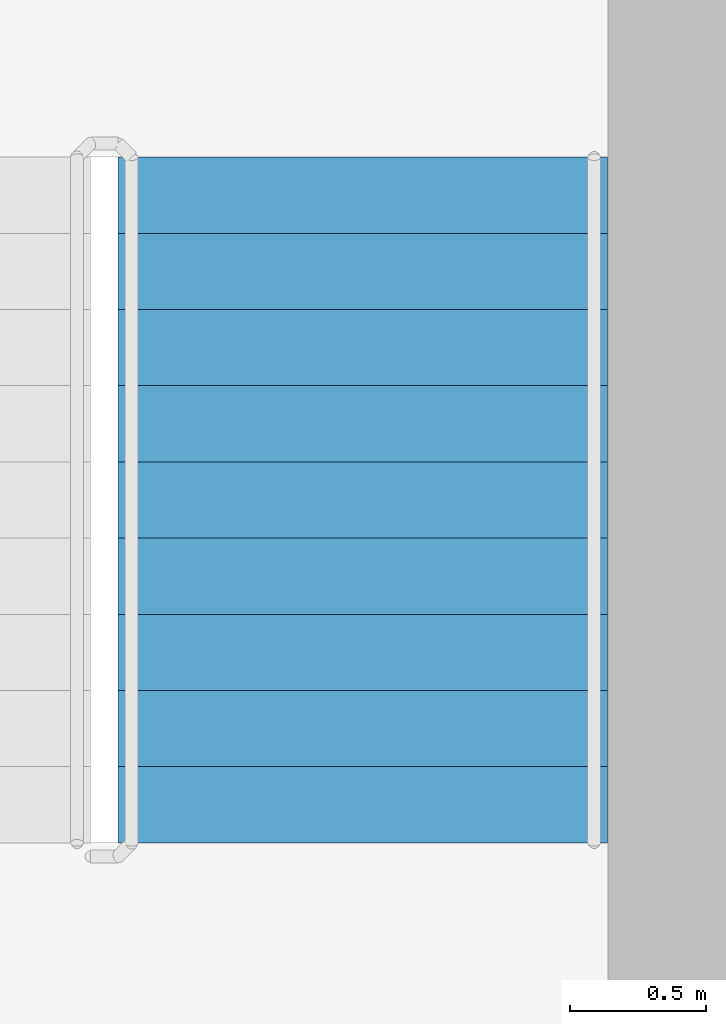
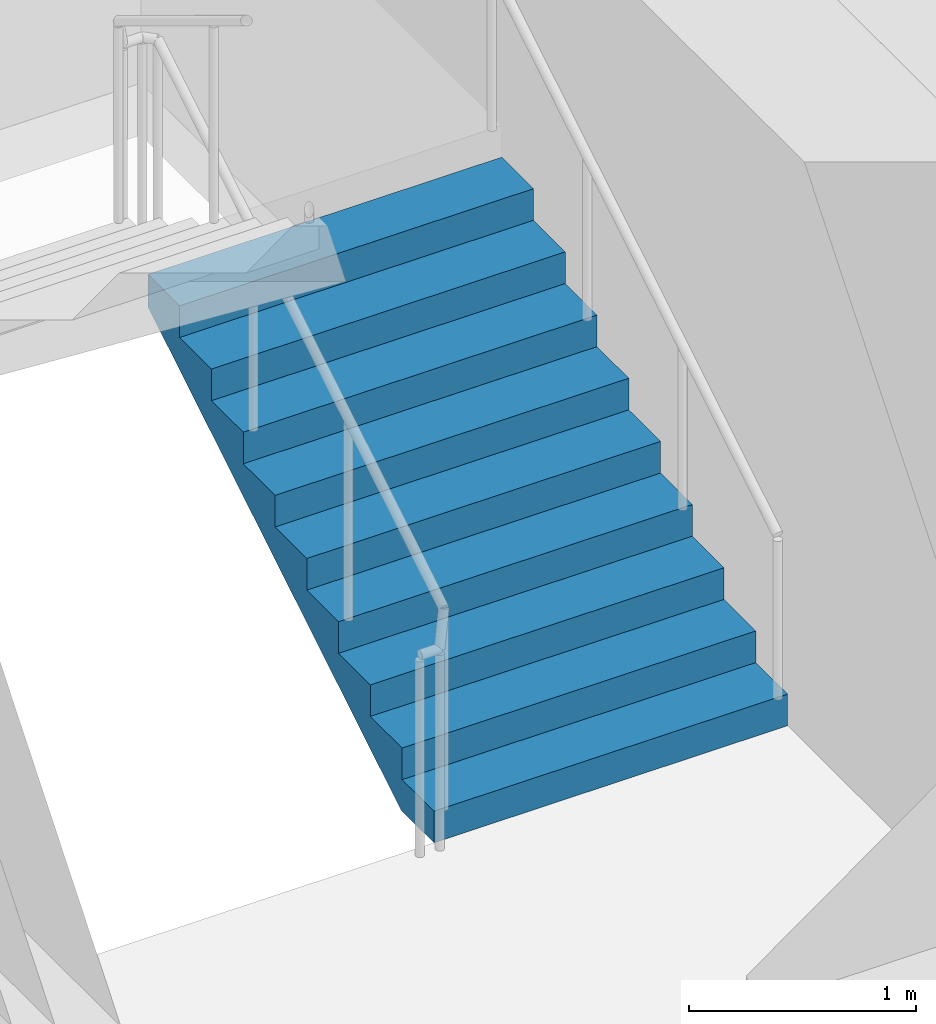
# One storey, part 13 of 22: 1 stair flight, 1 element without a shape of its own.
"""IFC4 building model written with IfcOpenShell, lengths in metres."""

from ifc_helpers import new_model, si_unit, direction, frame, origin, place, context, subcontext, project, spatial, triangles, source, transform, mapped, material, type_object, element, aggregate, save


model = new_model("IFC4")

# Units and contexts
model_context = context("Model", 3, precision=1e-05, world=origin(), true_north=direction((0.0, 1.0)))
body_context = subcontext(model_context, "Body", "Model", "MODEL_VIEW")
ifc_project = project(units=[si_unit("LENGTHUNIT", "METRE"), si_unit("AREAUNIT", "SQUARE_METRE"), si_unit("VOLUMEUNIT", "CUBIC_METRE"), si_unit("PLANEANGLEUNIT", "RADIAN"), si_unit("MASSUNIT", "GRAM", prefix="KILO")], contexts=[model_context])

# Site, building, storey
site_placement = place(None, origin())
site = spatial("IfcSite", under=ifc_project, at=site_placement, CompositionType="ELEMENT")
building_placement = place(site_placement, origin())
building = spatial("IfcBuilding", under=site, at=building_placement, Name="Kilnfold Tower and Market Hall", CompositionType="ELEMENT")
storey_placement = place(building_placement, frame((0.0, 0.0, 206.699951171875)))
storey = spatial("IfcBuildingStorey", under=building, at=storey_placement, Name="L50", CompositionType="ELEMENT", Elevation=206.699951171875)

# Stair, stair flight
ifc_material_1 = material(Name="Concrete C40/50", Category="concrete")
stair_type = type_object("IfcStairType", Name="CORE STAIR 1800", PredefinedType="HALF_TURN_STAIR", material=ifc_material_1)
stair_placement = place(storey_placement, origin())
stair = element("IfcStair", 1, at=stair_placement, inside=storey, type_object=stair_type, Name="L50 ST2", PredefinedType="HALF_TURN_STAIR")
ifc_material_2 = material(Name="Concrete C40/50", Category="concrete")
stair_flight_type = type_object("IfcStairFlightType", Name="CORE STAIR FLIGHT 1800", PredefinedType="STRAIGHT", material=ifc_material_2)
shared_shape = source(origin(), body_context, "Body", "Tessellation", [
    triangles([(0.0, 0.89990234375, 0.0), (0.0, 0.78759765625, 0.0), (0.0, 0.675048828125, 0.0), (0.0, 0.5625, 0.0), (0.0, 0.449951171875, 0.0), (0.0, 0.33740234375, 0.0), (0.0, 0.22509765625, 0.0), (0.0, 0.112548828125, 0.0), (0.0, 0.0, 0.0), (0.0, -0.112548828125, 0.0), (0.0, -0.22509765625, 0.0), (0.0, -0.33740234375, 0.0), (0.0, -0.449951171875, 0.0), (0.0, -0.5625, 0.0), (0.0, -0.675048828125, 0.0), (0.0, -0.78759765625, 0.0), (0.0, -0.89990234375, 0.0), (0.0, 0.89990234375, 0.169921875), (0.0, 0.78759765625, 0.169921875), (0.0, 0.675048828125, 0.169921875), (0.0, 0.5625, 0.169921875), (0.0, 0.449951171875, 0.169921875), (0.0, 0.33740234375, 0.169921875), (0.0, 0.22509765625, 0.169921875), (0.0, 0.112548828125, 0.169921875), (0.0, 0.0, 0.169921875), (0.0, -0.112548828125, 0.169921875), (0.0, -0.22509765625, 0.169921875), (0.0, -0.33740234375, 0.169921875), (0.0, -0.449951171875, 0.169921875), (0.0, -0.5625, 0.169921875), (0.0, -0.675048828125, 0.169921875), (0.0, -0.78759765625, 0.169921875), (0.0, -0.89990234375, 0.169921875), (0.280029296875, 0.89990234375, 0.169921875), (0.280029296875, 0.78759765625, 0.169921875), (0.280029296875, 0.675048828125, 0.169921875), (0.280029296875, 0.5625, 0.169921875), (0.280029296875, 0.449951171875, 0.169921875), (0.280029296875, 0.33740234375, 0.169921875), (0.280029296875, 0.22509765625, 0.169921875), (0.280029296875, 0.112548828125, 0.169921875), (0.280029296875, 0.0, 0.169921875), (0.280029296875, -0.112548828125, 0.169921875), (0.280029296875, -0.22509765625, 0.169921875), (0.280029296875, -0.33740234375, 0.169921875), (0.280029296875, -0.449951171875, 0.169921875), (0.280029296875, -0.5625, 0.169921875), (0.280029296875, -0.675048828125, 0.169921875), (0.280029296875, -0.78759765625, 0.169921875), (0.280029296875, -0.89990234375, 0.169921875), (0.280029296875, 0.89990234375, 0.340087890625), (0.280029296875, 0.78759765625, 0.340087890625), (0.280029296875, 0.675048828125, 0.340087890625), (0.280029296875, 0.5625, 0.340087890625), (0.280029296875, 0.449951171875, 0.340087890625), (0.280029296875, 0.33740234375, 0.340087890625), (0.280029296875, 0.22509765625, 0.340087890625), (0.280029296875, 0.112548828125, 0.340087890625), (0.280029296875, 0.0, 0.340087890625), (0.280029296875, -0.112548828125, 0.340087890625), (0.280029296875, -0.22509765625, 0.340087890625), (0.280029296875, -0.33740234375, 0.340087890625), (0.280029296875, -0.449951171875, 0.340087890625), (0.280029296875, -0.5625, 0.340087890625), (0.280029296875, -0.675048828125, 0.340087890625), (0.280029296875, -0.78759765625, 0.340087890625), (0.280029296875, -0.89990234375, 0.340087890625), (0.56005859375, 0.89990234375, 0.340087890625), (0.56005859375, 0.78759765625, 0.340087890625), (0.56005859375, 0.675048828125, 0.340087890625), (0.56005859375, 0.5625, 0.340087890625), (0.56005859375, 0.449951171875, 0.340087890625), (0.56005859375, 0.33740234375, 0.340087890625), (0.56005859375, 0.22509765625, 0.340087890625), (0.56005859375, 0.112548828125, 0.340087890625), (0.56005859375, 0.0, 0.340087890625), (0.56005859375, -0.112548828125, 0.340087890625), (0.56005859375, -0.22509765625, 0.340087890625), (0.56005859375, -0.33740234375, 0.340087890625), (0.56005859375, -0.449951171875, 0.340087890625), (0.56005859375, -0.5625, 0.340087890625), (0.56005859375, -0.675048828125, 0.340087890625), (0.56005859375, -0.78759765625, 0.340087890625), (0.56005859375, -0.89990234375, 0.340087890625), (0.56005859375, 0.89990234375, 0.510009765625), (0.56005859375, 0.78759765625, 0.510009765625), (0.56005859375, 0.675048828125, 0.510009765625), (0.56005859375, 0.5625, 0.510009765625), (0.56005859375, 0.449951171875, 0.510009765625), (0.56005859375, 0.33740234375, 0.510009765625), (0.56005859375, 0.22509765625, 0.510009765625), (0.56005859375, 0.112548828125, 0.510009765625), (0.56005859375, 0.0, 0.510009765625), (0.56005859375, -0.112548828125, 0.510009765625), (0.56005859375, -0.22509765625, 0.510009765625), (0.56005859375, -0.33740234375, 0.510009765625), (0.56005859375, -0.449951171875, 0.510009765625), (0.56005859375, -0.5625, 0.510009765625), (0.56005859375, -0.675048828125, 0.510009765625), (0.56005859375, -0.78759765625, 0.510009765625), (0.56005859375, -0.89990234375, 0.510009765625), (0.840087890625, 0.89990234375, 0.510009765625), (0.840087890625, 0.78759765625, 0.510009765625), (0.840087890625, 0.675048828125, 0.510009765625), (0.840087890625, 0.5625, 0.510009765625), (0.840087890625, 0.449951171875, 0.510009765625), (0.840087890625, 0.33740234375, 0.510009765625), (0.840087890625, 0.22509765625, 0.510009765625), (0.840087890625, 0.112548828125, 0.510009765625), (0.840087890625, 0.0, 0.510009765625), (0.840087890625, -0.112548828125, 0.510009765625), (0.840087890625, -0.22509765625, 0.510009765625), (0.840087890625, -0.33740234375, 0.510009765625), (0.840087890625, -0.449951171875, 0.510009765625), (0.840087890625, -0.5625, 0.510009765625), (0.840087890625, -0.675048828125, 0.510009765625), (0.840087890625, -0.78759765625, 0.510009765625), (0.840087890625, -0.89990234375, 0.510009765625), (0.840087890625, 0.89990234375, 0.679931640625), (0.840087890625, 0.78759765625, 0.679931640625), (0.840087890625, 0.675048828125, 0.679931640625), (0.840087890625, 0.5625, 0.679931640625), (0.840087890625, 0.449951171875, 0.679931640625), (0.840087890625, 0.33740234375, 0.679931640625), (0.840087890625, 0.22509765625, 0.679931640625), (0.840087890625, 0.112548828125, 0.679931640625), (0.840087890625, 0.0, 0.679931640625), (0.840087890625, -0.112548828125, 0.679931640625), (0.840087890625, -0.22509765625, 0.679931640625), (0.840087890625, -0.33740234375, 0.679931640625), (0.840087890625, -0.449951171875, 0.679931640625), (0.840087890625, -0.5625, 0.679931640625), (0.840087890625, -0.675048828125, 0.679931640625), (0.840087890625, -0.78759765625, 0.679931640625), (0.840087890625, -0.89990234375, 0.679931640625), (1.1201171875, 0.89990234375, 0.679931640625), (1.1201171875, 0.78759765625, 0.679931640625), (1.1201171875, 0.675048828125, 0.679931640625), (1.1201171875, 0.5625, 0.679931640625), (1.1201171875, 0.449951171875, 0.679931640625), (1.1201171875, 0.33740234375, 0.679931640625), (1.1201171875, 0.22509765625, 0.679931640625), (1.1201171875, 0.112548828125, 0.679931640625), (1.1201171875, 0.0, 0.679931640625), (1.1201171875, -0.112548828125, 0.679931640625), (1.1201171875, -0.22509765625, 0.679931640625), (1.1201171875, -0.33740234375, 0.679931640625), (1.1201171875, -0.449951171875, 0.679931640625), (1.1201171875, -0.5625, 0.679931640625), (1.1201171875, -0.675048828125, 0.679931640625), (1.1201171875, -0.78759765625, 0.679931640625), (1.1201171875, -0.89990234375, 0.679931640625), (1.1201171875, 0.89990234375, 0.85009765625), (1.1201171875, 0.78759765625, 0.85009765625), (1.1201171875, 0.675048828125, 0.85009765625), (1.1201171875, 0.5625, 0.85009765625), (1.1201171875, 0.449951171875, 0.85009765625), (1.1201171875, 0.33740234375, 0.85009765625), (1.1201171875, 0.22509765625, 0.85009765625), (1.1201171875, 0.112548828125, 0.85009765625), (1.1201171875, 0.0, 0.85009765625), (1.1201171875, -0.112548828125, 0.85009765625), (1.1201171875, -0.22509765625, 0.85009765625), (1.1201171875, -0.33740234375, 0.85009765625), (1.1201171875, -0.449951171875, 0.85009765625), (1.1201171875, -0.5625, 0.85009765625), (1.1201171875, -0.675048828125, 0.85009765625), (1.1201171875, -0.78759765625, 0.85009765625), (1.1201171875, -0.89990234375, 0.85009765625), (1.39990234375, 0.89990234375, 0.85009765625), (1.39990234375, 0.78759765625, 0.85009765625), (1.39990234375, 0.675048828125, 0.85009765625), (1.39990234375, 0.5625, 0.85009765625), (1.39990234375, 0.449951171875, 0.85009765625), (1.39990234375, 0.33740234375, 0.85009765625), (1.39990234375, 0.22509765625, 0.85009765625), (1.39990234375, 0.112548828125, 0.85009765625), (1.39990234375, 0.0, 0.85009765625), (1.39990234375, -0.112548828125, 0.85009765625), (1.39990234375, -0.22509765625, 0.85009765625), (1.39990234375, -0.33740234375, 0.85009765625), (1.39990234375, -0.449951171875, 0.85009765625), (1.39990234375, -0.5625, 0.85009765625), (1.39990234375, -0.675048828125, 0.85009765625), (1.39990234375, -0.78759765625, 0.85009765625), (1.39990234375, -0.89990234375, 0.85009765625), (1.39990234375, 0.89990234375, 1.02001953125), (1.39990234375, 0.78759765625, 1.02001953125), (1.39990234375, 0.675048828125, 1.02001953125), (1.39990234375, 0.5625, 1.02001953125), (1.39990234375, 0.449951171875, 1.02001953125), (1.39990234375, 0.33740234375, 1.02001953125), (1.39990234375, 0.22509765625, 1.02001953125), (1.39990234375, 0.112548828125, 1.02001953125), (1.39990234375, 0.0, 1.02001953125), (1.39990234375, -0.112548828125, 1.02001953125), (1.39990234375, -0.22509765625, 1.02001953125), (1.39990234375, -0.33740234375, 1.02001953125), (1.39990234375, -0.449951171875, 1.02001953125), (1.39990234375, -0.5625, 1.02001953125), (1.39990234375, -0.675048828125, 1.02001953125), (1.39990234375, -0.78759765625, 1.02001953125), (1.39990234375, -0.89990234375, 1.02001953125), (1.679931640625, 0.89990234375, 1.02001953125), (1.679931640625, 0.78759765625, 1.02001953125), (1.679931640625, 0.675048828125, 1.02001953125), (1.679931640625, 0.5625, 1.02001953125), (1.679931640625, 0.449951171875, 1.02001953125), (1.679931640625, 0.33740234375, 1.02001953125), (1.679931640625, 0.22509765625, 1.02001953125), (1.679931640625, 0.112548828125, 1.02001953125), (1.679931640625, 0.0, 1.02001953125), (1.679931640625, -0.112548828125, 1.02001953125), (1.679931640625, -0.22509765625, 1.02001953125), (1.679931640625, -0.33740234375, 1.02001953125), (1.679931640625, -0.449951171875, 1.02001953125), (1.679931640625, -0.5625, 1.02001953125), (1.679931640625, -0.675048828125, 1.02001953125), (1.679931640625, -0.78759765625, 1.02001953125), (1.679931640625, -0.89990234375, 1.02001953125), (1.679931640625, 0.89990234375, 1.18994140625), (1.679931640625, 0.78759765625, 1.18994140625), (1.679931640625, 0.675048828125, 1.18994140625), (1.679931640625, 0.5625, 1.18994140625), (1.679931640625, 0.449951171875, 1.18994140625), (1.679931640625, 0.33740234375, 1.18994140625), (1.679931640625, 0.22509765625, 1.18994140625), (1.679931640625, 0.112548828125, 1.18994140625), (1.679931640625, 0.0, 1.18994140625), (1.679931640625, -0.112548828125, 1.18994140625), (1.679931640625, -0.22509765625, 1.18994140625), (1.679931640625, -0.33740234375, 1.18994140625), (1.679931640625, -0.449951171875, 1.18994140625), (1.679931640625, -0.5625, 1.18994140625), (1.679931640625, -0.675048828125, 1.18994140625), (1.679931640625, -0.78759765625, 1.18994140625), (1.679931640625, -0.89990234375, 1.18994140625), (1.9599609375, 0.89990234375, 1.18994140625), (1.9599609375, 0.78759765625, 1.18994140625), (1.9599609375, 0.675048828125, 1.18994140625), (1.9599609375, 0.5625, 1.18994140625), (1.9599609375, 0.449951171875, 1.18994140625), (1.9599609375, 0.33740234375, 1.18994140625), (1.9599609375, 0.22509765625, 1.18994140625), (1.9599609375, 0.112548828125, 1.18994140625), (1.9599609375, 0.0, 1.18994140625), (1.9599609375, -0.112548828125, 1.18994140625), (1.9599609375, -0.22509765625, 1.18994140625), (1.9599609375, -0.33740234375, 1.18994140625), (1.9599609375, -0.449951171875, 1.18994140625), (1.9599609375, -0.5625, 1.18994140625), (1.9599609375, -0.675048828125, 1.18994140625), (1.9599609375, -0.78759765625, 1.18994140625), (1.9599609375, -0.89990234375, 1.18994140625), (1.9599609375, 0.89990234375, 1.360107421875), (1.9599609375, 0.78759765625, 1.360107421875), (1.9599609375, 0.675048828125, 1.360107421875), (1.9599609375, 0.5625, 1.360107421875), (1.9599609375, 0.449951171875, 1.360107421875), (1.9599609375, 0.33740234375, 1.360107421875), (1.9599609375, 0.22509765625, 1.360107421875), (1.9599609375, 0.112548828125, 1.360107421875), (1.9599609375, 0.0, 1.360107421875), (1.9599609375, -0.112548828125, 1.360107421875), (1.9599609375, -0.22509765625, 1.360107421875), (1.9599609375, -0.33740234375, 1.360107421875), (1.9599609375, -0.449951171875, 1.360107421875), (1.9599609375, -0.5625, 1.360107421875), (1.9599609375, -0.675048828125, 1.360107421875), (1.9599609375, -0.78759765625, 1.360107421875), (1.9599609375, -0.89990234375, 1.360107421875), (2.239990234375, 0.89990234375, 1.360107421875), (2.239990234375, 0.78759765625, 1.360107421875), (2.239990234375, 0.675048828125, 1.360107421875), (2.239990234375, 0.5625, 1.360107421875), (2.239990234375, 0.449951171875, 1.360107421875), (2.239990234375, 0.33740234375, 1.360107421875), (2.239990234375, 0.22509765625, 1.360107421875), (2.239990234375, 0.112548828125, 1.360107421875), (2.239990234375, 0.0, 1.360107421875), (2.239990234375, -0.112548828125, 1.360107421875), (2.239990234375, -0.22509765625, 1.360107421875), (2.239990234375, -0.33740234375, 1.360107421875), (2.239990234375, -0.449951171875, 1.360107421875), (2.239990234375, -0.5625, 1.360107421875), (2.239990234375, -0.675048828125, 1.360107421875), (2.239990234375, -0.78759765625, 1.360107421875), (2.239990234375, -0.89990234375, 1.360107421875), (2.239990234375, 0.89990234375, 1.530029296875), (2.239990234375, 0.78759765625, 1.530029296875), (2.239990234375, 0.675048828125, 1.530029296875), (2.239990234375, 0.5625, 1.530029296875), (2.239990234375, 0.449951171875, 1.530029296875), (2.239990234375, 0.33740234375, 1.530029296875), (2.239990234375, 0.22509765625, 1.530029296875), (2.239990234375, 0.112548828125, 1.530029296875), (2.239990234375, 0.0, 1.530029296875), (2.239990234375, -0.112548828125, 1.530029296875), (2.239990234375, -0.22509765625, 1.530029296875), (2.239990234375, -0.33740234375, 1.530029296875), (2.239990234375, -0.449951171875, 1.530029296875), (2.239990234375, -0.5625, 1.530029296875), (2.239990234375, -0.675048828125, 1.530029296875), (2.239990234375, -0.78759765625, 1.530029296875), (2.239990234375, -0.89990234375, 1.530029296875), (2.52001953125, 0.89990234375, 1.530029296875), (2.52001953125, 0.78759765625, 1.530029296875), (2.52001953125, 0.675048828125, 1.530029296875), (2.52001953125, 0.5625, 1.530029296875), (2.52001953125, 0.449951171875, 1.530029296875), (2.52001953125, 0.33740234375, 1.530029296875), (2.52001953125, 0.22509765625, 1.530029296875), (2.52001953125, 0.112548828125, 1.530029296875), (2.52001953125, 0.0, 1.530029296875), (2.52001953125, -0.112548828125, 1.530029296875), (2.52001953125, -0.22509765625, 1.530029296875), (2.52001953125, -0.33740234375, 1.530029296875), (2.52001953125, -0.449951171875, 1.530029296875), (2.52001953125, -0.5625, 1.530029296875), (2.52001953125, -0.675048828125, 1.530029296875), (2.52001953125, -0.78759765625, 1.530029296875), (2.52001953125, -0.89990234375, 1.530029296875), (2.52001953125, 0.89990234375, 1.354736328125), (2.52001953125, 0.78759765625, 1.354736328125), (2.52001953125, 0.675048828125, 1.354736328125), (2.52001953125, 0.5625, 1.354736328125), (2.52001953125, 0.449951171875, 1.354736328125), (2.52001953125, 0.33740234375, 1.354736328125), (2.52001953125, 0.22509765625, 1.354736328125), (2.52001953125, 0.112548828125, 1.354736328125), (2.52001953125, 0.0, 1.354736328125), (2.52001953125, -0.112548828125, 1.354736328125), (2.52001953125, -0.22509765625, 1.354736328125), (2.52001953125, -0.33740234375, 1.354736328125), (2.52001953125, -0.449951171875, 1.354736328125), (2.52001953125, -0.5625, 1.354736328125), (2.52001953125, -0.675048828125, 1.354736328125), (2.52001953125, -0.78759765625, 1.354736328125), (2.52001953125, -0.89990234375, 1.354736328125), (0.288818359375, 0.89990234375, 0.0), (0.288818359375, 0.78759765625, 0.0), (0.288818359375, 0.675048828125, 0.0), (0.288818359375, 0.5625, 0.0), (0.288818359375, 0.449951171875, 0.0), (0.288818359375, 0.33740234375, 0.0), (0.288818359375, 0.22509765625, 0.0), (0.288818359375, 0.112548828125, 0.0), (0.288818359375, 0.0, 0.0), (0.288818359375, -0.112548828125, 0.0), (0.288818359375, -0.22509765625, 0.0), (0.288818359375, -0.33740234375, 0.0), (0.288818359375, -0.449951171875, 0.0), (0.288818359375, -0.5625, 0.0), (0.288818359375, -0.675048828125, 0.0), (0.288818359375, -0.78759765625, 0.0), (0.288818359375, -0.89990234375, 0.0)], [[1, 324, 341], [17, 357, 340], [324, 290, 307], [340, 323, 306], [324, 273, 290], [340, 306, 289], [324, 256, 273], [340, 289, 272], [324, 239, 256], [340, 272, 255], [239, 205, 222], [255, 238, 221], [324, 205, 239], [340, 255, 221], [205, 171, 188], [221, 204, 187], [324, 171, 205], [340, 221, 187], [171, 137, 154], [187, 170, 153], [324, 137, 171], [340, 187, 153], [137, 103, 120], [153, 136, 119], [324, 103, 137], [340, 153, 119], [103, 69, 86], [119, 102, 85], [324, 69, 103], [340, 119, 85], [69, 35, 52], [85, 68, 51], [324, 35, 69], [340, 85, 51], [1, 35, 324], [17, 340, 51], [35, 1, 18], [51, 34, 17], [1, 19, 18], [1, 2, 19], [2, 20, 19], [2, 3, 20], [3, 21, 20], [3, 4, 21], [4, 22, 21], [4, 5, 22], [5, 23, 22], [5, 6, 23], [6, 24, 23], [6, 7, 24], [7, 25, 24], [7, 8, 25], [8, 26, 25], [8, 9, 26], [9, 27, 26], [9, 10, 27], [10, 28, 27], [10, 11, 28], [11, 29, 28], [11, 12, 29], [12, 30, 29], [12, 13, 30], [13, 31, 30], [13, 14, 31], [14, 32, 31], [14, 15, 32], [15, 33, 32], [15, 16, 33], [16, 34, 33], [16, 17, 34], [18, 36, 35], [18, 19, 36], [19, 37, 36], [19, 20, 37], [20, 38, 37], [20, 21, 38], [21, 39, 38], [21, 22, 39], [22, 40, 39], [22, 23, 40], [23, 41, 40], [23, 24, 41], [24, 42, 41], [24, 25, 42], [25, 43, 42], [25, 26, 43], [26, 44, 43], [26, 27, 44], [27, 45, 44], [27, 28, 45], [28, 46, 45], [28, 29, 46], [29, 47, 46], [29, 30, 47], [30, 48, 47], [30, 31, 48], [31, 49, 48], [31, 32, 49], [32, 50, 49], [32, 33, 50], [33, 51, 50], [33, 34, 51], [35, 53, 52], [35, 36, 53], [36, 54, 53], [36, 37, 54], [37, 55, 54], [37, 38, 55], [38, 56, 55], [38, 39, 56], [39, 57, 56], [39, 40, 57], [40, 58, 57], [40, 41, 58], [41, 59, 58], [41, 42, 59], [42, 60, 59], [42, 43, 60], [43, 61, 60], [43, 44, 61], [44, 62, 61], [44, 45, 62], [45, 63, 62], [45, 46, 63], [46, 64, 63], [46, 47, 64], [47, 65, 64], [47, 48, 65], [48, 66, 65], [48, 49, 66], [49, 67, 66], [49, 50, 67], [50, 68, 67], [50, 51, 68], [52, 70, 69], [52, 53, 70], [53, 71, 70], [53, 54, 71], [54, 72, 71], [54, 55, 72], [55, 73, 72], [55, 56, 73], [56, 74, 73], [56, 57, 74], [57, 75, 74], [57, 58, 75], [58, 76, 75], [58, 59, 76], [59, 77, 76], [59, 60, 77], [60, 78, 77], [60, 61, 78], [61, 79, 78], [61, 62, 79], [62, 80, 79], [62, 63, 80], [63, 81, 80], [63, 64, 81], [64, 82, 81], [64, 65, 82], [65, 83, 82], [65, 66, 83], [66, 84, 83], [66, 67, 84], [67, 85, 84], [67, 68, 85], [69, 87, 86], [69, 70, 87], [70, 88, 87], [70, 71, 88], [71, 89, 88], [71, 72, 89], [72, 90, 89], [72, 73, 90], [73, 91, 90], [73, 74, 91], [74, 92, 91], [74, 75, 92], [75, 93, 92], [75, 76, 93], [76, 94, 93], [76, 77, 94], [77, 95, 94], [77, 78, 95], [78, 96, 95], [78, 79, 96], [79, 97, 96], [79, 80, 97], [80, 98, 97], [80, 81, 98], [81, 99, 98], [81, 82, 99], [82, 100, 99], [82, 83, 100], [83, 101, 100], [83, 84, 101], [84, 102, 101], [84, 85, 102], [86, 104, 103], [86, 87, 104], [87, 105, 104], [87, 88, 105], [88, 106, 105], [88, 89, 106], [89, 107, 106], [89, 90, 107], [90, 108, 107], [90, 91, 108], [91, 109, 108], [91, 92, 109], [92, 110, 109], [92, 93, 110], [93, 111, 110], [93, 94, 111], [94, 112, 111], [94, 95, 112], [95, 113, 112], [95, 96, 113], [96, 114, 113], [96, 97, 114], [97, 115, 114], [97, 98, 115], [98, 116, 115], [98, 99, 116], [99, 117, 116], [99, 100, 117], [100, 118, 117], [100, 101, 118], [101, 119, 118], [101, 102, 119], [103, 121, 120], [103, 104, 121], [104, 122, 121], [104, 105, 122], [105, 123, 122], [105, 106, 123], [106, 124, 123], [106, 107, 124], [107, 125, 124], [107, 108, 125], [108, 126, 125], [108, 109, 126], [109, 127, 126], [109, 110, 127], [110, 128, 127], [110, 111, 128], [111, 129, 128], [111, 112, 129], [112, 130, 129], [112, 113, 130], [113, 131, 130], [113, 114, 131], [114, 132, 131], [114, 115, 132], [115, 133, 132], [115, 116, 133], [116, 134, 133], [116, 117, 134], [117, 135, 134], [117, 118, 135], [118, 136, 135], [118, 119, 136], [120, 138, 137], [120, 121, 138], [121, 139, 138], [121, 122, 139], [122, 140, 139], [122, 123, 140], [123, 141, 140], [123, 124, 141], [124, 142, 141], [124, 125, 142], [125, 143, 142], [125, 126, 143], [126, 144, 143], [126, 127, 144], [127, 145, 144], [127, 128, 145], [128, 146, 145], [128, 129, 146], [129, 147, 146], [129, 130, 147], [130, 148, 147], [130, 131, 148], [131, 149, 148], [131, 132, 149], [132, 150, 149], [132, 133, 150], [133, 151, 150], [133, 134, 151], [134, 152, 151], [134, 135, 152], [135, 153, 152], [135, 136, 153], [137, 155, 154], [137, 138, 155], [138, 156, 155], [138, 139, 156], [139, 157, 156], [139, 140, 157], [140, 158, 157], [140, 141, 158], [141, 159, 158], [141, 142, 159], [142, 160, 159], [142, 143, 160], [143, 161, 160], [143, 144, 161], [144, 162, 161], [144, 145, 162], [145, 163, 162], [145, 146, 163], [146, 164, 163], [146, 147, 164], [147, 165, 164], [147, 148, 165], [148, 166, 165], [148, 149, 166], [149, 167, 166], [149, 150, 167], [150, 168, 167], [150, 151, 168], [151, 169, 168], [151, 152, 169], [152, 170, 169], [152, 153, 170], [154, 172, 171], [154, 155, 172], [155, 173, 172], [155, 156, 173], [156, 174, 173], [156, 157, 174], [157, 175, 174], [157, 158, 175], [158, 176, 175], [158, 159, 176], [159, 177, 176], [159, 160, 177], [160, 178, 177], [160, 161, 178], [161, 179, 178], [161, 162, 179], [162, 180, 179], [162, 163, 180], [163, 181, 180], [163, 164, 181], [164, 182, 181], [164, 165, 182], [165, 183, 182], [165, 166, 183], [166, 184, 183], [166, 167, 184], [167, 185, 184], [167, 168, 185], [168, 186, 185], [168, 169, 186], [169, 187, 186], [169, 170, 187], [171, 189, 188], [171, 172, 189], [172, 190, 189], [172, 173, 190], [173, 191, 190], [173, 174, 191], [174, 192, 191], [174, 175, 192], [175, 193, 192], [175, 176, 193], [176, 194, 193], [176, 177, 194], [177, 195, 194], [177, 178, 195], [178, 196, 195], [178, 179, 196], [179, 197, 196], [179, 180, 197], [180, 198, 197], [180, 181, 198], [181, 199, 198], [181, 182, 199], [182, 200, 199], [182, 183, 200], [183, 201, 200], [183, 184, 201], [184, 202, 201], [184, 185, 202], [185, 203, 202], [185, 186, 203], [186, 204, 203], [186, 187, 204], [188, 206, 205], [188, 189, 206], [189, 207, 206], [189, 190, 207], [190, 208, 207], [190, 191, 208], [191, 209, 208], [191, 192, 209], [192, 210, 209], [192, 193, 210], [193, 211, 210], [193, 194, 211], [194, 212, 211], [194, 195, 212], [195, 213, 212], [195, 196, 213], [196, 214, 213], [196, 197, 214], [197, 215, 214], [197, 198, 215], [198, 216, 215], [198, 199, 216], [199, 217, 216], [199, 200, 217], [200, 218, 217], [200, 201, 218], [201, 219, 218], [201, 202, 219], [202, 220, 219], [202, 203, 220], [203, 221, 220], [203, 204, 221], [205, 223, 222], [205, 206, 223], [206, 224, 223], [206, 207, 224], [207, 225, 224], [207, 208, 225], [208, 226, 225], [208, 209, 226], [209, 227, 226], [209, 210, 227], [210, 228, 227], [210, 211, 228], [211, 229, 228], [211, 212, 229], [212, 230, 229], [212, 213, 230], [213, 231, 230], [213, 214, 231], [214, 232, 231], [214, 215, 232], [215, 233, 232], [215, 216, 233], [216, 234, 233], [216, 217, 234], [217, 235, 234], [217, 218, 235], [218, 236, 235], [218, 219, 236], [219, 237, 236], [219, 220, 237], [220, 238, 237], [220, 221, 238], [222, 240, 239], [222, 223, 240], [223, 241, 240], [223, 224, 241], [224, 242, 241], [224, 225, 242], [225, 243, 242], [225, 226, 243], [226, 244, 243], [226, 227, 244], [227, 245, 244], [227, 228, 245], [228, 246, 245], [228, 229, 246], [229, 247, 246], [229, 230, 247], [230, 248, 247], [230, 231, 248], [231, 249, 248], [231, 232, 249], [232, 250, 249], [232, 233, 250], [233, 251, 250], [233, 234, 251], [234, 252, 251], [234, 235, 252], [235, 253, 252], [235, 236, 253], [236, 254, 253], [236, 237, 254], [237, 255, 254], [237, 238, 255], [239, 257, 256], [239, 240, 257], [240, 258, 257], [240, 241, 258], [241, 259, 258], [241, 242, 259], [242, 260, 259], [242, 243, 260], [243, 261, 260], [243, 244, 261], [244, 262, 261], [244, 245, 262], [245, 263, 262], [245, 246, 263], [246, 264, 263], [246, 247, 264], [247, 265, 264], [247, 248, 265], [248, 266, 265], [248, 249, 266], [249, 267, 266], [249, 250, 267], [250, 268, 267], [250, 251, 268], [251, 269, 268], [251, 252, 269], [252, 270, 269], [252, 253, 270], [253, 271, 270], [253, 254, 271], [254, 272, 271], [254, 255, 272], [256, 274, 273], [256, 257, 274], [257, 275, 274], [257, 258, 275], [258, 276, 275], [258, 259, 276], [259, 277, 276], [259, 260, 277], [260, 278, 277], [260, 261, 278], [261, 279, 278], [261, 262, 279], [262, 280, 279], [262, 263, 280], [263, 281, 280], [263, 264, 281], [264, 282, 281], [264, 265, 282], [265, 283, 282], [265, 266, 283], [266, 284, 283], [266, 267, 284], [267, 285, 284], [267, 268, 285], [268, 286, 285], [268, 269, 286], [269, 287, 286], [269, 270, 287], [270, 288, 287], [270, 271, 288], [271, 289, 288], [271, 272, 289], [273, 291, 290], [273, 274, 291], [274, 292, 291], [274, 275, 292], [275, 293, 292], [275, 276, 293], [276, 294, 293], [276, 277, 294], [277, 295, 294], [277, 278, 295], [278, 296, 295], [278, 279, 296], [279, 297, 296], [279, 280, 297], [280, 298, 297], [280, 281, 298], [281, 299, 298], [281, 282, 299], [282, 300, 299], [282, 283, 300], [283, 301, 300], [283, 284, 301], [284, 302, 301], [284, 285, 302], [285, 303, 302], [285, 286, 303], [286, 304, 303], [286, 287, 304], [287, 305, 304], [287, 288, 305], [288, 306, 305], [288, 289, 306], [290, 308, 307], [290, 291, 308], [291, 309, 308], [291, 292, 309], [292, 310, 309], [292, 293, 310], [293, 311, 310], [293, 294, 311], [294, 312, 311], [294, 295, 312], [295, 313, 312], [295, 296, 313], [296, 314, 313], [296, 297, 314], [297, 315, 314], [297, 298, 315], [298, 316, 315], [298, 299, 316], [299, 317, 316], [299, 300, 317], [300, 318, 317], [300, 301, 318], [301, 319, 318], [301, 302, 319], [302, 320, 319], [302, 303, 320], [303, 321, 320], [303, 304, 321], [304, 322, 321], [304, 305, 322], [305, 323, 322], [305, 306, 323], [307, 325, 324], [307, 308, 325], [308, 326, 325], [308, 309, 326], [309, 327, 326], [309, 310, 327], [310, 328, 327], [310, 311, 328], [311, 329, 328], [311, 312, 329], [312, 330, 329], [312, 313, 330], [313, 331, 330], [313, 314, 331], [314, 332, 331], [314, 315, 332], [315, 333, 332], [315, 316, 333], [316, 334, 333], [316, 317, 334], [317, 335, 334], [317, 318, 335], [318, 336, 335], [318, 319, 336], [319, 337, 336], [319, 320, 337], [320, 338, 337], [320, 321, 338], [321, 339, 338], [321, 322, 339], [322, 340, 339], [322, 323, 340], [324, 342, 341], [324, 325, 342], [325, 343, 342], [325, 326, 343], [326, 344, 343], [326, 327, 344], [327, 345, 344], [327, 328, 345], [328, 346, 345], [328, 329, 346], [329, 347, 346], [329, 330, 347], [330, 348, 347], [330, 331, 348], [331, 349, 348], [331, 332, 349], [332, 350, 349], [332, 333, 350], [333, 351, 350], [333, 334, 351], [334, 352, 351], [334, 335, 352], [335, 353, 352], [335, 336, 353], [336, 354, 353], [336, 337, 354], [337, 355, 354], [337, 338, 355], [338, 356, 355], [338, 339, 356], [339, 357, 356], [339, 340, 357], [341, 2, 1], [341, 342, 2], [342, 3, 2], [342, 343, 3], [343, 4, 3], [343, 344, 4], [344, 5, 4], [344, 345, 5], [345, 6, 5], [345, 346, 6], [346, 7, 6], [346, 347, 7], [347, 8, 7], [347, 348, 8], [348, 9, 8], [348, 349, 9], [349, 10, 9], [349, 350, 10], [350, 11, 10], [350, 351, 11], [351, 12, 11], [351, 352, 12], [352, 13, 12], [352, 353, 13], [353, 14, 13], [353, 354, 14], [354, 15, 14], [354, 355, 15], [355, 16, 15], [355, 356, 16], [356, 17, 16], [356, 357, 17]], closed=True),
])
stair_flight_placement = place(storey_placement, frame((16.199951171875, 10.800048828125, 0.0), z_axis=(0.0, 0.0, 1.0), x_axis=(0.0, 1.0, 0.0)))
stair_flight = element("IfcStairFlight", 2, at=stair_flight_placement, type_object=stair_flight_type, Name="ST2 flight 1", NumberOfRisers=10, NumberOfTreads=9, PredefinedType="STRAIGHT", RiserHeight=0.17, TreadLength=0.28, context=body_context, shape_type="MappedRepresentation", body=[
    mapped(shared_shape, transform((0.0, 0.0, 0.0))),
])
aggregate(stair, [stair_flight])

save(model, "model.ifc")
